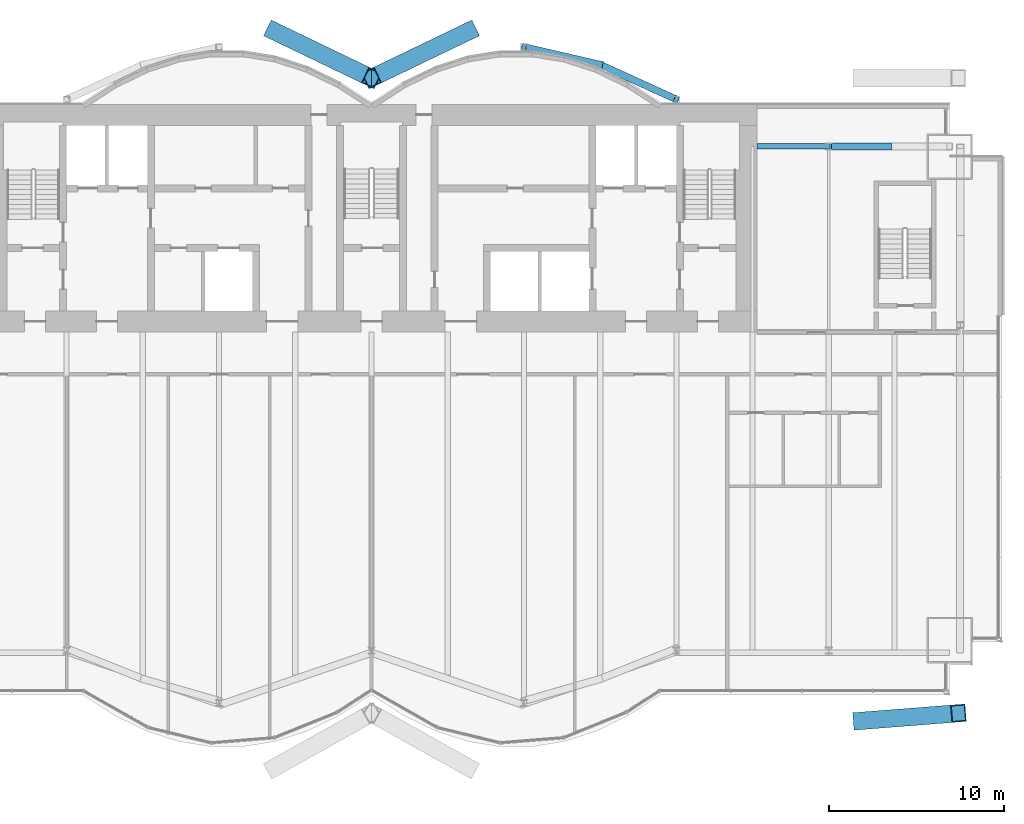
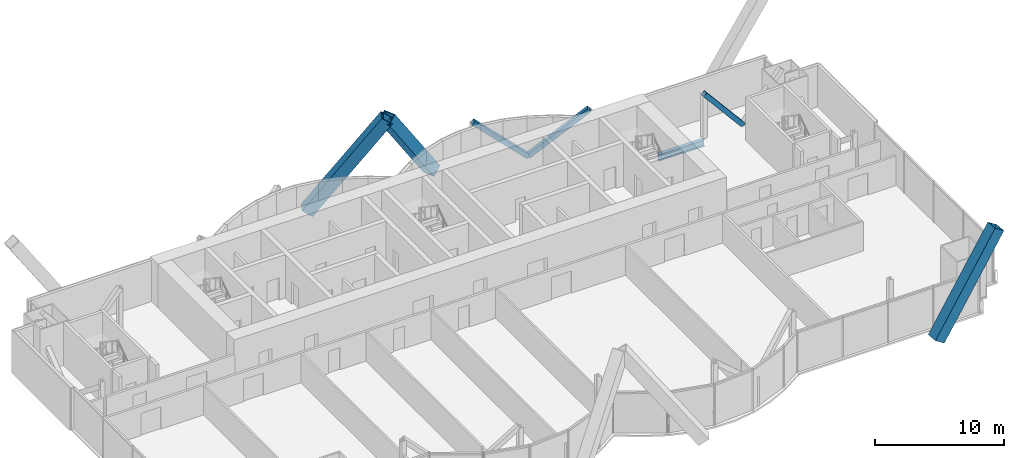
# One storey, part 11 of 21: 6 members, 1 beam.
"""IFC4 building model written with IfcOpenShell, lengths in metres."""

from ifc_helpers import new_model, si_unit, direction, frame, origin, origin_2d, place, context, subcontext, project, spatial, hollow_rectangle, i_section, extrude, material, material_profile, profile_set, type_object, element, save


model = new_model("IFC4")

# Units and contexts
model_context = context("Model", 3, precision=1e-05, world=origin(), true_north=direction((0.0, 1.0)))
body_context = subcontext(model_context, "Body", "Model", "MODEL_VIEW")
ifc_project = project(units=[si_unit("LENGTHUNIT", "METRE"), si_unit("AREAUNIT", "SQUARE_METRE"), si_unit("VOLUMEUNIT", "CUBIC_METRE"), si_unit("PLANEANGLEUNIT", "RADIAN"), si_unit("MASSUNIT", "GRAM", prefix="KILO")], contexts=[model_context])

# Site, building, storey
site_placement = place(None, origin())
site = spatial("IfcSite", under=ifc_project, at=site_placement, CompositionType="ELEMENT")
building_placement = place(site_placement, origin())
building = spatial("IfcBuilding", under=site, at=building_placement, Name="Bicima Exchange Tower", CompositionType="ELEMENT")
storey_placement = place(building_placement, frame((0.0, 0.0, 181.39990234375)))
storey = spatial("IfcBuildingStorey", under=building, at=storey_placement, Name="L40", CompositionType="ELEMENT", Elevation=181.39990234375)

# Members
ifc_material_1 = material(Name="Steel ASTM A572 Gr 50", Category="steel")
ifc_material_profile_1 = material_profile(ifc_material_1, hollow_rectangle(XDim=1.0, YDim=1.0, WallThickness=0.06005859375, at=origin_2d()))
ifc_profile_set_1 = profile_set([ifc_material_profile_1], Name="Steel ASTM A572 Gr 50")
member_type_1 = type_object("IfcMemberType", Name="Exo mega brace BOX 1000x1000x60", PredefinedType="BRACE", material=ifc_profile_set_1)
member_1_placement = place(storey_placement, frame((27.916748046875, -35.193115234375, 0.183349609375), z_axis=(0.552269884762, 0.043178912675, 0.832546428666), x_axis=(-0.077946568622, 0.996957537932, 0.0)))
element("IfcMember", 1, at=member_1_placement, inside=storey, type_object=member_type_1, Name="Exo mega brace front", PredefinedType="BRACE", context=body_context, shape_type="SweptSolid", body=[
    extrude(hollow_rectangle(XDim=1.0, YDim=1.0, WallThickness=0.06005859375, at=origin_2d()), origin(), (0.0, 0.0, 1.0), 10.109619140625),
])
for number, where, z_axis, x_axis, name in (
    (2, (-5.583251953125, 4.1865234375, 0.183349609375), (0.53421092373, -0.257049149711, 0.80532255873), (0.433591692225, 0.901109451972, 0.0), "Exo mega brace rear"),
    (3, (5.583251953125, 4.1865234375, 0.183349609375), (-0.53421092373, -0.257049149711, 0.80532255873), (0.433591692225, -0.901109451972, 0.0), "Exo mega brace rear"),
):
    element("IfcMember", number, at=place(storey_placement, frame(where, z_axis=z_axis, x_axis=x_axis)), inside=storey, type_object=member_type_1, Name=name, PredefinedType="BRACE", context=body_context, shape_type="SweptSolid", body=[
        extrude(hollow_rectangle(XDim=1.0, YDim=1.0, WallThickness=0.06005859375, at=origin_2d()), origin(), (0.0, 0.0, 1.0), 10.451416015625),
    ])
ifc_material_profile_2 = material_profile(ifc_material_1, hollow_rectangle(XDim=0.406494140625, YDim=0.406494140625, WallThickness=0.017822265625, at=origin_2d()))
ifc_profile_set_2 = profile_set([ifc_material_profile_2], Name="Steel ASTM A572 Gr 50")
member_type_2 = type_object("IfcMemberType", Name="Mega brace HSS16x16x3/4", PredefinedType="BRACE", material=ifc_profile_set_2)
member_2_placement = place(storey_placement, frame((13.050048828125, 2.262451171875, 0.0), z_axis=(0.690628963585, -0.315060460011, 0.650975069565), x_axis=(0.415045223819, 0.909800781592, 0.0)))
element("IfcMember", 4, at=member_2_placement, inside=storey, type_object=member_type_2, Name="Mega brace rexo", PredefinedType="BRACE", context=body_context, shape_type="SweptSolid", body=[
    extrude(hollow_rectangle(XDim=0.406494140625, YDim=0.406494140625, WallThickness=0.017822265625, at=origin_2d()), origin(), (0.0, 0.0, 1.0), 6.29833984375),
])
member_3_placement = place(storey_placement, frame((13.050048828125, 2.262451171875, 0.0), z_axis=(-0.717605620354, 0.166050509188, 0.676364843878), x_axis=(-0.225438503722, -0.974257399787, 0.0)))
element("IfcMember", 5, at=member_3_placement, inside=storey, type_object=member_type_2, Name="Mega brace rexo", PredefinedType="BRACE", context=body_context, shape_type="SweptSolid", body=[
    extrude(hollow_rectangle(XDim=0.406494140625, YDim=0.406494140625, WallThickness=0.017822265625, at=origin_2d()), origin(), (0.0, 0.0, 1.0), 6.06201171875),
])
member_4_placement = place(storey_placement, frame((29.550048828125, -2.39990234375, 0.0), z_axis=(-0.643834042494, 0.0, 0.765165162384), x_axis=(0.0, -1.0, 0.0)))
element("IfcMember", 6, at=member_4_placement, inside=storey, type_object=member_type_2, Name="Mega brace rear", PredefinedType="BRACE", context=body_context, shape_type="SweptSolid", body=[
    extrude(hollow_rectangle(XDim=0.406494140625, YDim=0.406494140625, WallThickness=0.017822265625, at=origin_2d()), origin(), (0.0, 0.0, 1.0), 5.3583984375),
])

# Beam
ifc_material_2 = material(Name="Steel ASTM A992 Gr 50", Category="steel")
ifc_material_profile_3 = material_profile(ifc_material_2, i_section(OverallWidth=0.3251953125, OverallDepth=0.612060546875, WebThickness=0.0126953125, FlangeThickness=0.01904296875, at=origin_2d()))
ifc_profile_set_3 = profile_set([ifc_material_profile_3], Name="Steel ASTM A992 Gr 50")
beam_type = type_object("IfcBeamType", Name="Rear girder W24x104", PredefinedType="BEAM", material=ifc_profile_set_3)
beam_placement = place(storey_placement, frame((22.0, -2.39990234375, -0.4560546875), z_axis=(1.0, 0.0, 0.0), x_axis=(0.0, 1.0, 0.0)))
element("IfcBeam", 7, at=beam_placement, inside=storey, type_object=beam_type, Name="Rear girder", PredefinedType="BEAM", context=body_context, shape_type="SweptSolid", body=[
    extrude(i_section(OverallWidth=0.3251953125, OverallDepth=0.612060546875, WebThickness=0.0126953125, FlangeThickness=0.01904296875, at=origin_2d()), origin(), (0.0, 0.0, 1.0), 4.10009765625),
])

save(model, "model.ifc")
